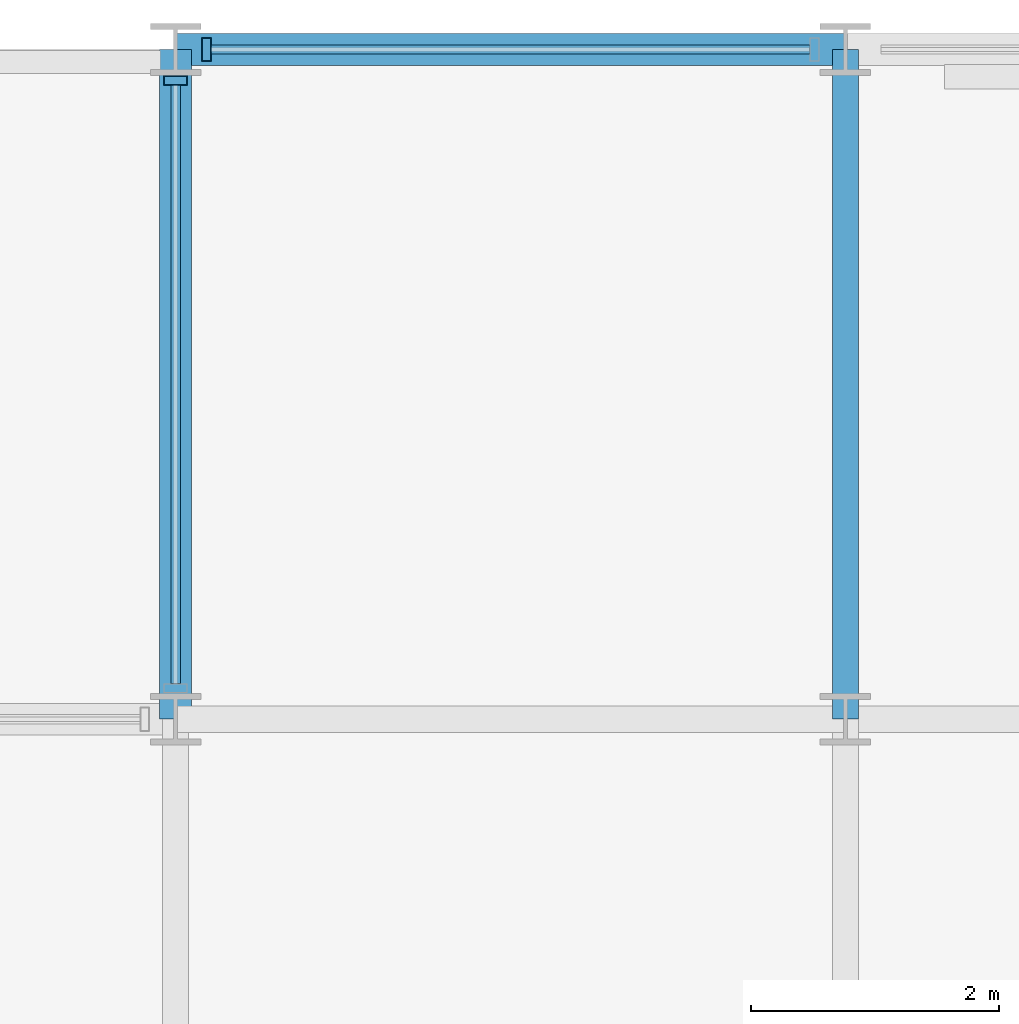
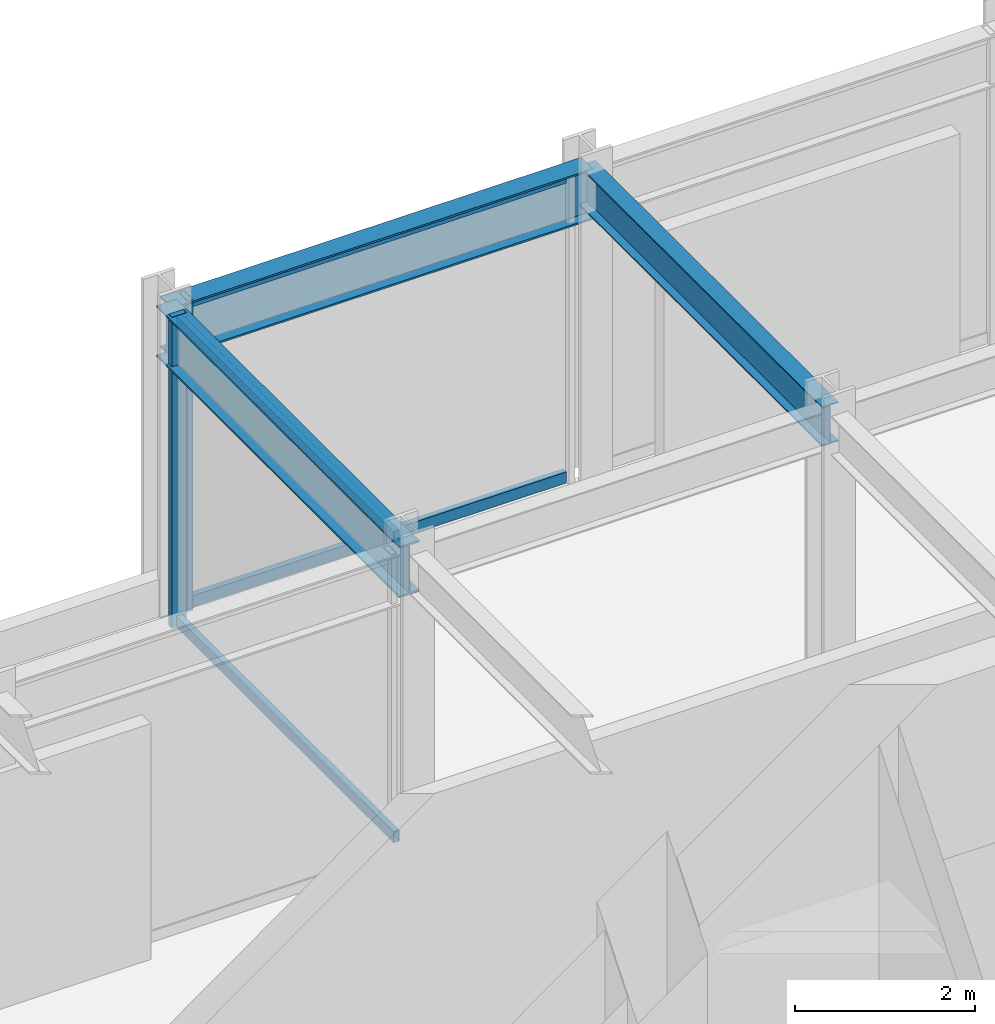
# One storey, part 12 of 21: 6 members, 3 beams, 2 elements without a shape of their own.
"""IFC4 building model written with IfcOpenShell, lengths in metres."""

from ifc_helpers import new_model, si_unit, direction, frame, origin, origin_2d, place, context, subcontext, project, spatial, hollow_rectangle, i_section, extrude, material, layer, layer_set, material_profile, profile_set, type_object, element, aggregate, save


model = new_model("IFC4")

# Units and contexts
model_context = context("Model", 3, precision=1e-05, world=origin(), true_north=direction((0.0, 1.0)))
body_context = subcontext(model_context, "Body", "Model", "MODEL_VIEW")
ifc_project = project(units=[si_unit("LENGTHUNIT", "METRE"), si_unit("AREAUNIT", "SQUARE_METRE"), si_unit("VOLUMEUNIT", "CUBIC_METRE"), si_unit("PLANEANGLEUNIT", "RADIAN"), si_unit("MASSUNIT", "GRAM", prefix="KILO")], contexts=[model_context])

# Site, building, storey
site_placement = place(None, origin())
site = spatial("IfcSite", under=ifc_project, at=site_placement, CompositionType="ELEMENT")
building_placement = place(site_placement, origin())
building = spatial("IfcBuilding", under=site, at=building_placement, Name="Surkhivell Harbour Commons", CompositionType="ELEMENT")
storey_placement = place(building_placement, frame((0.0, 0.0, 346.5)))
storey = spatial("IfcBuildingStorey", under=building, at=storey_placement, Name="L90", CompositionType="ELEMENT", Elevation=346.5)

# Beams
ifc_material_1 = material(Name="Steel S355", Category="steel")
ifc_material_profile_1 = material_profile(ifc_material_1, i_section(OverallWidth=0.2099609375, OverallDepth=0.537109375, WebThickness=0.0107421875, FlangeThickness=0.017333984375, at=origin_2d()), Name="UB533x210x101")
ifc_profile_set_1 = profile_set([ifc_material_profile_1], Name="Steel S355")
beam_type_1 = type_object("IfcBeamType", Name="BM-GRD-533B", PredefinedType="BEAM", material=ifc_profile_set_1)
beam_1_placement = place(storey_placement, frame((0.0, 16.199951171875, 3.951416015625), z_axis=(0.0, 1.0, 0.0), x_axis=(-1.0, 0.0, 0.0)))
element("IfcBeam", 1, at=beam_1_placement, inside=storey, type_object=beam_type_1, Name="L90 Floor Girder (0.0,16.2)", PredefinedType="BEAM", context=body_context, shape_type="SweptSolid", body=[
    extrude(i_section(OverallWidth=0.2099609375, OverallDepth=0.537109375, WebThickness=0.0107421875, FlangeThickness=0.017333984375, at=origin_2d()), origin(), (0.0, 0.0, 1.0), 5.400146484375),
])
ifc_material_profile_2 = material_profile(ifc_material_1, i_section(OverallWidth=0.256103515625, OverallDepth=0.693115234375, WebThickness=0.014404296875, FlangeThickness=0.023681640625, at=origin_2d()), Name="UB686x254x170")
ifc_profile_set_2 = profile_set([ifc_material_profile_2], Name="Steel S355")
beam_type_2 = type_object("IfcBeamType", Name="BM-SPN-686", PredefinedType="SPANDREL", material=ifc_profile_set_2)
beam_2_placement = place(storey_placement, frame((-5.39990234375, 16.199951171875, 3.87353515625), z_axis=(0.0, 1.0, 0.0), x_axis=(-1.0, 0.0, 0.0)))
element("IfcBeam", 2, at=beam_2_placement, inside=storey, type_object=beam_type_2, Name="L90 Tube Spandrel (-5.4,16.2)", PredefinedType="SPANDREL", context=body_context, shape_type="SweptSolid", body=[
    extrude(i_section(OverallWidth=0.256103515625, OverallDepth=0.693115234375, WebThickness=0.014404296875, FlangeThickness=0.023681640625, at=origin_2d()), origin(), (0.0, 0.0, 1.0), 5.400146484375),
])
beam_3_placement = place(storey_placement, frame((-5.39990234375, 21.60009765625, 3.87353515625), z_axis=(1.0, 0.0, 0.0), x_axis=(0.0, 1.0, 0.0)))
element("IfcBeam", 3, at=beam_3_placement, inside=storey, type_object=beam_type_2, Name="L90 Tube Spandrel (-5.4,21.6)", PredefinedType="SPANDREL", context=body_context, shape_type="SweptSolid", body=[
    extrude(i_section(OverallWidth=0.256103515625, OverallDepth=0.693115234375, WebThickness=0.014404296875, FlangeThickness=0.023681640625, at=origin_2d()), origin(), (0.0, 0.0, 1.0), 5.39990234375),
])

# Curtain wall, member
ifc_material_2 = material(Name="Anodised pale-metal aluminium and insulated glazing", Category="aluminium")
ifc_layer = layer(ifc_material_2, 0.22998046875)
ifc_layer_set = layer_set([ifc_layer], Name="Anodised pale-metal aluminium and insulated glazing")
curtain_wall_type = type_object("IfcCurtainWallType", Name="CW-SYS-CRN", PredefinedType="NOTDEFINED", material=ifc_layer_set)
curtain_wall_1_placement = place(storey_placement, origin())
curtain_wall_1 = element("IfcCurtainWall", 4, at=curtain_wall_1_placement, inside=storey, type_object=curtain_wall_type, Name="L90 Curtain Wall CW-L90-C00S1", PredefinedType="NOTDEFINED")
ifc_material_3 = material(Name="Anodised pale-metal aluminium alloy 6063-T6", Category="aluminium")
ifc_material_profile_3 = material_profile(ifc_material_3, hollow_rectangle(XDim=0.074951171875, YDim=0.18994140625, WallThickness=0.00390625, at=origin_2d()), Name="ALU-MULL-75x190")
ifc_profile_set_3 = profile_set([ifc_material_profile_3], Name="Anodised pale-metal aluminium alloy 6063-T6")
member_type_1 = type_object("IfcMemberType", Name="CWM-190", PredefinedType="MULLION", material=ifc_profile_set_3)
member_1_placement = place(storey_placement, frame((-5.39990234375, 21.3505859375, 0.0), z_axis=(0.0, 0.0, 1.0), x_axis=(0.0, -1.0, 0.0)))
member_1 = element("IfcMember", 5, at=member_1_placement, type_object=member_type_1, Name="CW-CRN mullion 1", PredefinedType="MULLION", context=body_context, shape_type="SweptSolid", body=[
    extrude(hollow_rectangle(XDim=0.074951171875, YDim=0.18994140625, WallThickness=0.00390625, at=origin_2d()), origin(), (0.0, 0.0, 1.0), 4.219970703125),
])

curtain_wall_2_placement = place(storey_placement, origin())
curtain_wall_2 = element("IfcCurtainWall", 6, at=curtain_wall_2_placement, inside=storey, type_object=curtain_wall_type, Name="L90 Curtain Wall CW-L90-C08", PredefinedType="NOTDEFINED")
member_2_placement = place(storey_placement, frame((-5.150390625, 21.60009765625, 0.0), z_axis=(0.0, 0.0, 1.0), x_axis=(-1.0, 0.0, 0.0)))
member_2 = element("IfcMember", 7, at=member_2_placement, type_object=member_type_1, Name="CW-CRN mullion 4", PredefinedType="MULLION", context=body_context, shape_type="SweptSolid", body=[
    extrude(hollow_rectangle(XDim=0.074951171875, YDim=0.18994140625, WallThickness=0.00390625, at=origin_2d()), origin(), (0.0, 0.0, 1.0), 4.219970703125),
])

# Member
ifc_material_profile_4 = material_profile(ifc_material_3, hollow_rectangle(XDim=0.074951171875, YDim=0.14990234375, WallThickness=0.00341796875, at=origin_2d()), Name="ALU-TRAN-75x150")
ifc_profile_set_4 = profile_set([ifc_material_profile_4], Name="Anodised pale-metal aluminium alloy 6063-T6")
member_type_2 = type_object("IfcMemberType", Name="CWT-150", PredefinedType="USERDEFINED", material=ifc_profile_set_4)
member_3_placement = place(storey_placement, frame((-5.39990234375, 21.31298828125, 0.074951171875), z_axis=(0.0, -1.0, 0.0), x_axis=(1.0, 0.0, 0.0)))
member_3 = element("IfcMember", 8, at=member_3_placement, type_object=member_type_2, Name="CW-CRN transom 1.1", ObjectType="TRANSOM", PredefinedType="USERDEFINED", context=body_context, shape_type="SweptSolid", body=[
    extrude(hollow_rectangle(XDim=0.074951171875, YDim=0.14990234375, WallThickness=0.00341796875, at=origin_2d()), origin(), (0.0, 0.0, 1.0), 4.825927734375),
])

member_4_placement = place(storey_placement, frame((-5.39990234375, 21.31298828125, 4.14501953125), z_axis=(0.0, -1.0, 0.0), x_axis=(1.0, 0.0, 0.0)))
member_4 = element("IfcMember", 9, at=member_4_placement, type_object=member_type_2, Name="CW-CRN transom 1.2", ObjectType="TRANSOM", PredefinedType="USERDEFINED", context=body_context, shape_type="SweptSolid", body=[
    extrude(hollow_rectangle(XDim=0.074951171875, YDim=0.14990234375, WallThickness=0.00341796875, at=origin_2d()), origin(), (0.0, 0.0, 1.0), 4.825927734375),
])

aggregate(curtain_wall_1, [member_1, member_3, member_4])

member_5_placement = place(storey_placement, frame((-0.287109375, 21.60009765625, 0.074951171875), z_axis=(-1.0, 0.0, 0.0), x_axis=(0.0, -1.0, 0.0)))
member_5 = element("IfcMember", 10, at=member_5_placement, type_object=member_type_2, Name="CW-CRN transom 3.1", ObjectType="TRANSOM", PredefinedType="USERDEFINED", context=body_context, shape_type="SweptSolid", body=[
    extrude(hollow_rectangle(XDim=0.074951171875, YDim=0.14990234375, WallThickness=0.00341796875, at=origin_2d()), origin(), (0.0, 0.0, 1.0), 4.825927734375),
])

member_6_placement = place(storey_placement, frame((-0.287109375, 21.60009765625, 4.14501953125), z_axis=(-1.0, 0.0, 0.0), x_axis=(0.0, -1.0, 0.0)))
member_6 = element("IfcMember", 11, at=member_6_placement, type_object=member_type_2, Name="CW-CRN transom 3.2", ObjectType="TRANSOM", PredefinedType="USERDEFINED", context=body_context, shape_type="SweptSolid", body=[
    extrude(hollow_rectangle(XDim=0.074951171875, YDim=0.14990234375, WallThickness=0.00341796875, at=origin_2d()), origin(), (0.0, 0.0, 1.0), 4.825927734375),
])

aggregate(curtain_wall_2, [member_2, member_5, member_6])

save(model, "model.ifc")
